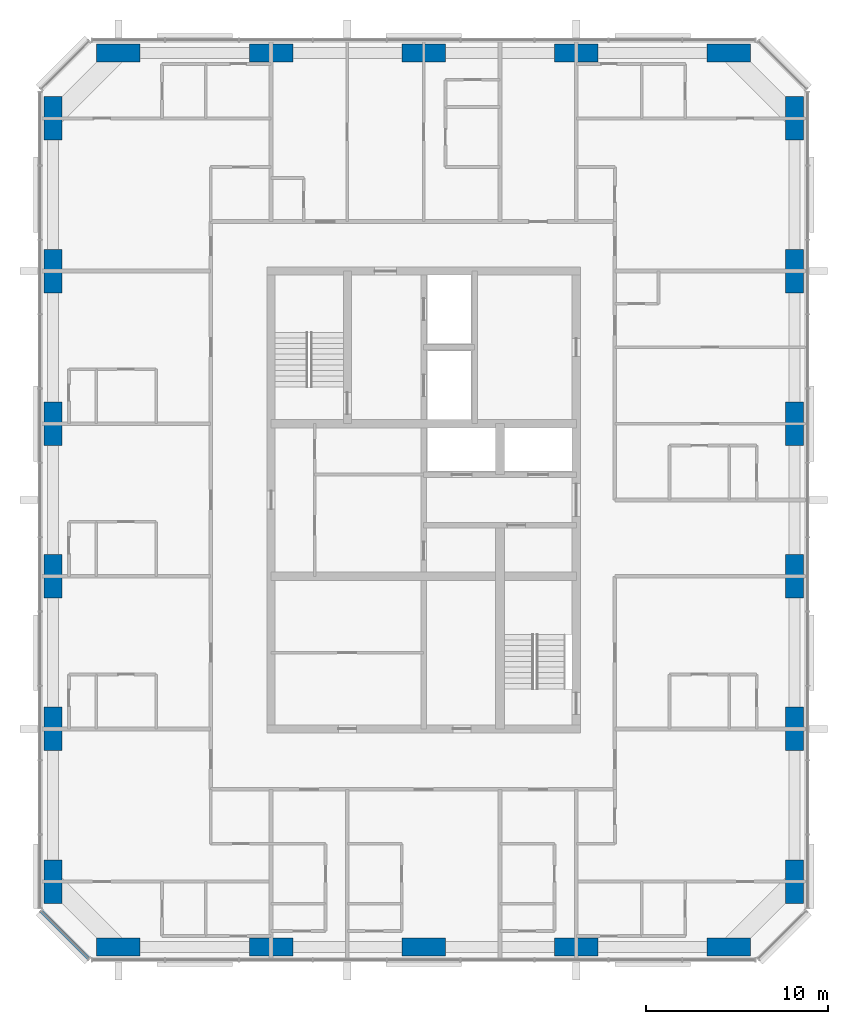
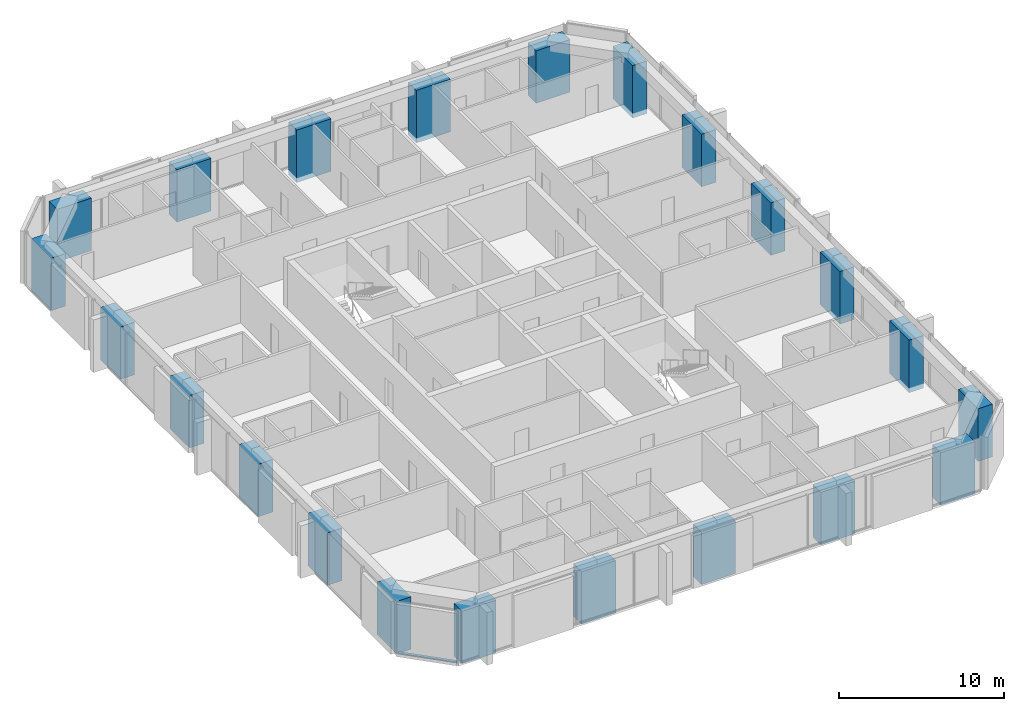
# One storey, part 1 of 12: 22 columns, 1 member, 1 element without a shape of its own.
"""IFC4 building model written with IfcOpenShell, lengths in metres."""

from ifc_helpers import new_model, si_unit, direction, frame, origin, origin_2d, place, context, subcontext, project, spatial, rectangle, extrude, material, material_profile, profile_set, type_object, element, aggregate, save


model = new_model("IFC4")

# Units and contexts
model_context = context("Model", 3, precision=1e-05, world=origin(), true_north=direction((0.0, 1.0)))
body_context = subcontext(model_context, "Body", "Model", "MODEL_VIEW")
ifc_project = project(units=[si_unit("LENGTHUNIT", "METRE"), si_unit("AREAUNIT", "SQUARE_METRE"), si_unit("VOLUMEUNIT", "CUBIC_METRE"), si_unit("PLANEANGLEUNIT", "RADIAN"), si_unit("MASSUNIT", "GRAM", prefix="KILO")], contexts=[model_context])

# Site, building, storey
site_placement = place(None, origin())
site = spatial("IfcSite", under=ifc_project, at=site_placement, CompositionType="ELEMENT")
building_placement = place(site_placement, origin())
building = spatial("IfcBuilding", under=site, at=building_placement, Name="Dunama Terrace Hotel", CompositionType="ELEMENT")
storey_placement = place(building_placement, frame((0.0, 0.0, 241.199951171875)))
storey = spatial("IfcBuildingStorey", under=building, at=storey_placement, Name="L62", CompositionType="ELEMENT", Elevation=241.199951171875)

# Columns
ifc_material_1 = material(Name="Concrete C50/60", Category="concrete")
ifc_material_profile_1 = material_profile(ifc_material_1, rectangle(XDim=1.0, YDim=2.39990234375, at=origin_2d()), Name="RC 1000x2400")
ifc_profile_set_1 = profile_set([ifc_material_profile_1], Name="Concrete C50/60")
column_type_1 = type_object("IfcColumnType", Name="Column RC 1000x2400", PredefinedType="COLUMN", material=ifc_profile_set_1)
for number, where, z_axis, x_axis, name in (
    (1, (13.199951171875, 8.39990234375, -0.349853515625), (0.0, 0.0, 1.0), (1.0, 0.0, 0.0), "Column L62 +13.2/+8.4"),
    (2, (13.199951171875, 16.800048828125, -0.349853515625), (0.0, 0.0, 1.0), (1.0, 0.0, 0.0), "Column L62 +13.2/+16.8"),
    (3, (13.199951171875, 25.199951171875, -0.349853515625), (0.0, 0.0, 1.0), (1.0, 0.0, 0.0), "Column L62 +13.2/+25.2"),
    (4, (13.199951171875, 33.60009765625, -0.349853515625), (0.0, 0.0, 1.0), (1.0, 0.0, 0.0), "Column L62 +13.2/+33.6"),
    (5, (13.199951171875, 42.0, -0.349853515625), (0.0, 0.0, 1.0), (1.0, 0.0, 0.0), "Column L62 +13.2/+42.0"),
    (6, (13.199951171875, 50.39990234375, -0.349853515625), (0.0, 0.0, 1.0), (1.0, 0.0, 0.0), "Column L62 +13.2/+50.4"),
    (7, (54.0, 8.39990234375, -0.349853515625), (0.0, 0.0, 1.0), (1.0, 0.0, 0.0), "Column L62 +54.0/+8.4"),
    (8, (54.0, 16.800048828125, -0.349853515625), (0.0, 0.0, 1.0), (1.0, 0.0, 0.0), "Column L62 +54.0/+16.8"),
    (9, (54.0, 25.199951171875, -0.349853515625), (0.0, 0.0, 1.0), (1.0, 0.0, 0.0), "Column L62 +54.0/+25.2"),
    (10, (54.0, 33.60009765625, -0.349853515625), (0.0, 0.0, 1.0), (1.0, 0.0, 0.0), "Column L62 +54.0/+33.6"),
    (11, (54.0, 42.0, -0.349853515625), (0.0, 0.0, 1.0), (1.0, 0.0, 0.0), "Column L62 +54.0/+42.0"),
    (12, (54.0, 50.39990234375, -0.349853515625), (0.0, 0.0, 1.0), (1.0, 0.0, 0.0), "Column L62 +54.0/+50.4"),
):
    element("IfcColumn", number, at=place(storey_placement, frame(where, z_axis=z_axis, x_axis=x_axis)), inside=storey, type_object=column_type_1, Name=name, PredefinedType="COLUMN", context=body_context, shape_type="SweptSolid", body=[
        extrude(rectangle(XDim=1.0, YDim=2.39990234375, at=origin_2d()), origin(), (0.0, 0.0, 1.0), 3.89990234375),
    ])
ifc_material_2 = material(Name="Concrete C50/60", Category="concrete")
ifc_material_profile_2 = material_profile(ifc_material_2, rectangle(XDim=2.39990234375, YDim=1.0, at=origin_2d()), Name="RC 2400x1000")
ifc_profile_set_2 = profile_set([ifc_material_profile_2], Name="Concrete C50/60")
column_type_2 = type_object("IfcColumnType", Name="Column RC 2400x1000", PredefinedType="COLUMN", material=ifc_profile_set_2)
for number, where, z_axis, x_axis, name in (
    (13, (16.800048828125, 4.800048828125, -0.349853515625), (0.0, 0.0, 1.0), (1.0, 0.0, 0.0), "Column L62 +16.8/+4.8"),
    (14, (16.800048828125, 54.0, -0.349853515625), (0.0, 0.0, 1.0), (1.0, 0.0, 0.0), "Column L62 +16.8/+54.0"),
    (15, (25.199951171875, 4.800048828125, -0.349853515625), (0.0, 0.0, 1.0), (1.0, 0.0, 0.0), "Column L62 +25.2/+4.8"),
    (16, (25.199951171875, 54.0, -0.349853515625), (0.0, 0.0, 1.0), (1.0, 0.0, 0.0), "Column L62 +25.2/+54.0"),
    (17, (33.60009765625, 4.800048828125, -0.349853515625), (0.0, 0.0, 1.0), (1.0, 0.0, 0.0), "Column L62 +33.6/+4.8"),
    (18, (33.60009765625, 54.0, -0.349853515625), (0.0, 0.0, 1.0), (1.0, 0.0, 0.0), "Column L62 +33.6/+54.0"),
    (19, (42.0, 4.800048828125, -0.349853515625), (0.0, 0.0, 1.0), (1.0, 0.0, 0.0), "Column L62 +42.0/+4.8"),
    (20, (42.0, 54.0, -0.349853515625), (0.0, 0.0, 1.0), (1.0, 0.0, 0.0), "Column L62 +42.0/+54.0"),
    (21, (50.39990234375, 4.800048828125, -0.349853515625), (0.0, 0.0, 1.0), (1.0, 0.0, 0.0), "Column L62 +50.4/+4.8"),
    (22, (50.39990234375, 54.0, -0.349853515625), (0.0, 0.0, 1.0), (1.0, 0.0, 0.0), "Column L62 +50.4/+54.0"),
):
    element("IfcColumn", number, at=place(storey_placement, frame(where, z_axis=z_axis, x_axis=x_axis)), inside=storey, type_object=column_type_2, Name=name, PredefinedType="COLUMN", context=body_context, shape_type="SweptSolid", body=[
        extrude(rectangle(XDim=2.39990234375, YDim=1.0, at=origin_2d()), origin(), (0.0, 0.0, 1.0), 3.89990234375),
    ])

# Curtain wall, member
ifc_material_3 = material(Name="Aluminium curtain wall system", Category="aluminium")
curtain_wall_type = type_object("IfcCurtainWallType", Name="Unitised fritted glass wall CW-D", PredefinedType="NOTDEFINED", material=ifc_material_3)
curtain_wall_placement = place(storey_placement, origin())
curtain_wall = element("IfcCurtainWall", 23, at=curtain_wall_placement, inside=storey, type_object=curtain_wall_type, Name="Unitised fritted glass wall CW-D L62", PredefinedType="NOTDEFINED")
ifc_material_4 = material(Name="Aluminium transom", Category="aluminium")
ifc_material_profile_3 = material_profile(ifc_material_4, rectangle(XDim=0.199951171875, YDim=0.0849609375, at=origin_2d()), Name="CWD TRANSOM 200X85")
ifc_profile_set_3 = profile_set([ifc_material_profile_3], Name="Aluminium transom")
member_type = type_object("IfcMemberType", Name="CWD transom 200x85", PredefinedType="USERDEFINED", material=ifc_profile_set_3)
member_placement = place(storey_placement, frame((12.56494140625, 6.76611328125, 0.04248046875), z_axis=(0.707106781187, -0.707106781187, 0.0), x_axis=(0.707106781187, 0.707106781187, 0.0)))
member = element("IfcMember", 24, at=member_placement, type_object=member_type, Name="CWD transom", ObjectType="TRANSOM", PredefinedType="USERDEFINED", context=body_context, shape_type="SweptSolid", body=[
    extrude(rectangle(XDim=0.199951171875, YDim=0.0849609375, at=origin_2d()), origin(), (0.0, 0.0, 1.0), 3.678466796875),
])
aggregate(curtain_wall, [member])

save(model, "model.ifc")
